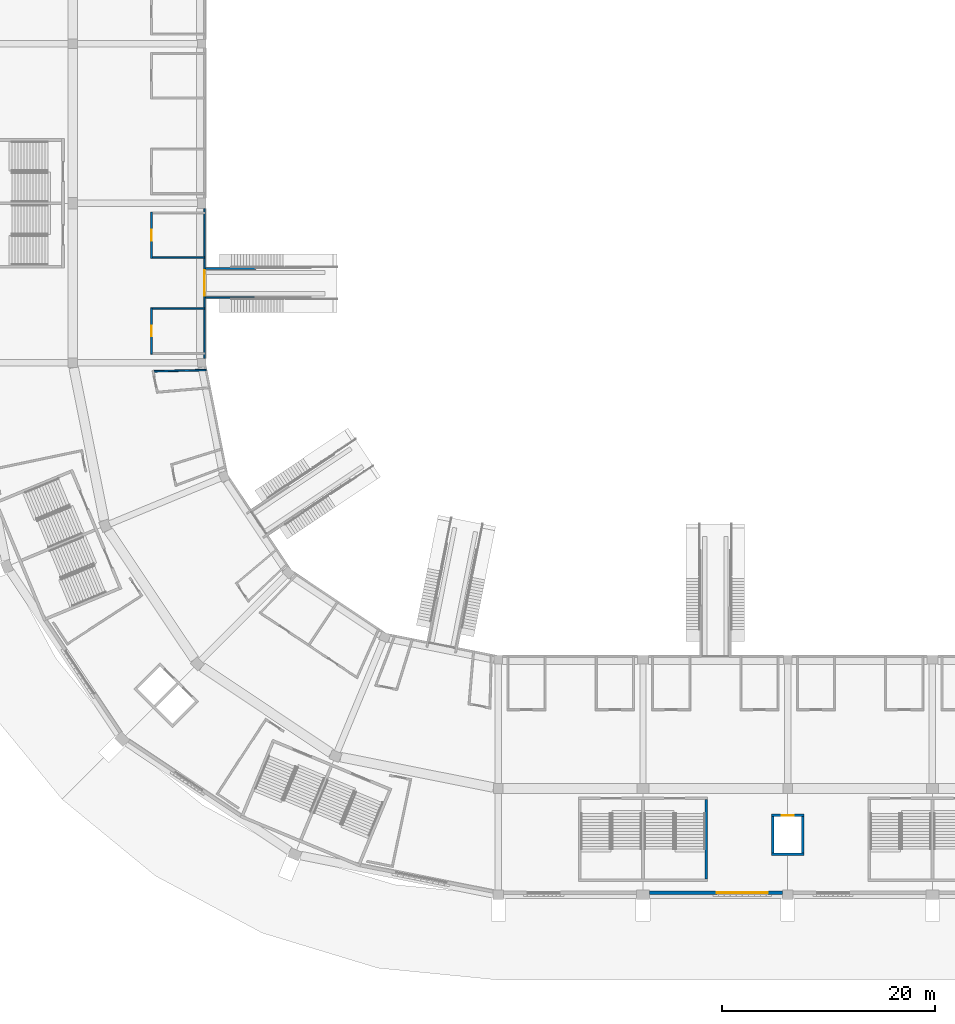
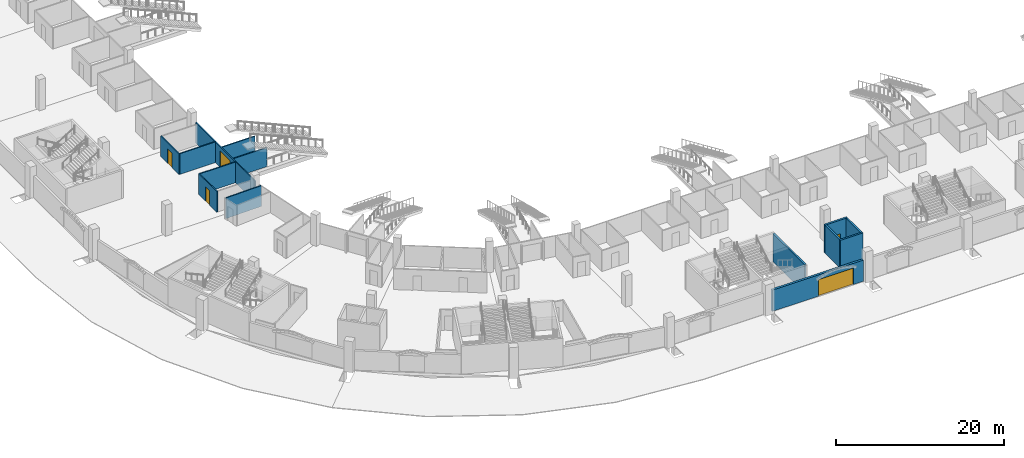
# One storey, part 27 of 175: 14 walls, 5 doors, 5 openings.
"""IFC4 building model written with IfcOpenShell, lengths in metres."""

from ifc_helpers import new_model, si_unit, direction, frame, frame_2d, origin, place, context, subcontext, project, spatial, rectangle, extrude, material, layer, layer_set, type_object, element, fill, save


model = new_model("IFC4")

# Units and contexts
model_context = context("Model", 3, precision=1e-05, world=origin(), true_north=direction((0.0, 1.0)))
body_context = subcontext(model_context, "Body", "Model", "MODEL_VIEW")
ifc_project = project(units=[si_unit("LENGTHUNIT", "METRE"), si_unit("AREAUNIT", "SQUARE_METRE"), si_unit("VOLUMEUNIT", "CUBIC_METRE"), si_unit("PLANEANGLEUNIT", "RADIAN"), si_unit("MASSUNIT", "GRAM", prefix="KILO")], contexts=[model_context])

# Site, building, storey
site_placement = place(None, origin())
site = spatial("IfcSite", under=ifc_project, at=site_placement, CompositionType="ELEMENT")
building_placement = place(site_placement, origin())
building = spatial("IfcBuilding", under=site, at=building_placement, Name="Ogive Plaza Stadium", CompositionType="ELEMENT")
storey_placement = place(building_placement, origin())
storey = spatial("IfcBuildingStorey", under=building, at=storey_placement, Name="L00", CompositionType="ELEMENT", Elevation=0.0)

# Wall
ifc_material_1 = material(Name="Masonry blockwork", Category="masonry")
ifc_layer_1 = layer(ifc_material_1, 0.14990234375)
ifc_layer_set_1 = layer_set([ifc_layer_1], Name="Blockwork wall 150")
wall_type_1 = type_object("IfcWallType", Name="Blockwork wall 150", PredefinedType="SOLIDWALL", material=ifc_layer_set_1)
wall_1_placement = place(storey_placement, frame((-61.467041015625, -53.1689453125, 0.0), z_axis=(0.0, 0.0, 1.0), x_axis=(-0.999703459918, -0.024351431726, 0.0)))
element("IfcWall", 1, at=wall_1_placement, inside=storey, type_object=wall_type_1, Name="Wall L00 B20", PredefinedType="SOLIDWALL", context=body_context, shape_type="SweptSolid", body=[
    extrude(rectangle(XDim=4.902587890625, YDim=0.14990234375, at=frame_2d((2.451171875, 0.0))), origin(), (0.0, 0.0, 1.0), 3.0),
])

# Wall, opening, door
wall_2_placement = place(storey_placement, frame((-66.60009765625, -38.324951171875, 0.0), z_axis=(0.0, 0.0, 1.0), x_axis=(0.0, -1.0, 0.0)))
wall_2 = element("IfcWall", 2, at=wall_2_placement, inside=storey, type_object=wall_type_1, Name="Wall L00 B21", PredefinedType="SOLIDWALL", context=body_context, shape_type="SweptSolid", body=[
    extrude(rectangle(XDim=4.35009765625, YDim=0.14990234375, at=frame_2d((2.175048828125, 0.0))), origin(), (0.0, 0.0, 1.0), 3.0),
])
opening_1_placement = place(wall_2_placement, frame((1.675048828125, 0.0, 0.0)))
opening_1 = element("IfcOpeningElement", 3, at=opening_1_placement, cuts=wall_2, Name="Opening D0422", PredefinedType="OPENING", context=body_context, shape_type="SweptSolid", body=[
    extrude(rectangle(XDim=1.0, YDim=2.10009765625, at=frame_2d((0.5, 1.050048828125))), frame((0.0, 0.074951171875, 0.0), z_axis=(0.0, -1.0, 0.0), x_axis=(1.0, 0.0, 0.0)), (0.0, 0.0, 1.0), 0.14990234375),
])
ifc_material_2 = material(Name="Steel ASTM A572 Grade 50", Category="steel")
door_type_1 = type_object("IfcDoorType", Name="Door 1000 x 2100", OperationType="SINGLE_SWING_LEFT", PredefinedType="DOOR", material=ifc_material_2)
door_1_placement = place(opening_1_placement, origin())
door_1 = element("IfcDoor", 4, at=door_1_placement, inside=storey, type_object=door_type_1, Name="Concession Stand B21 door", OperationType="SINGLE_SWING_RIGHT", OverallHeight=2.10009765625, OverallWidth=1.0, PredefinedType="DOOR", context=body_context, shape_type="SweptSolid", body=[
    extrude(rectangle(XDim=1.0, YDim=2.10009765625, at=frame_2d((0.5, 1.050048828125))), frame((0.0, 0.02490234375, 0.0), z_axis=(0.0, -1.0, 0.0), x_axis=(1.0, 0.0, 0.0)), (0.0, 0.0, 1.0), 0.050048828125),
])
fill(opening_1, door_1)

# Wall
wall_3_placement = place(storey_placement, frame((-61.60009765625, -42.60009765625, 0.0), z_axis=(0.0, 0.0, 1.0), x_axis=(-1.0, 0.0, 0.0)))
element("IfcWall", 5, at=wall_3_placement, inside=storey, type_object=wall_type_1, Name="Wall L00 B21", PredefinedType="SOLIDWALL", context=body_context, shape_type="SweptSolid", body=[
    extrude(rectangle(XDim=4.9248046875, YDim=0.14990234375, at=frame_2d((2.46240234375, 0.0))), origin(), (0.0, 0.0, 1.0), 3.0),
])

# Wall, opening, door
wall_4_placement = place(storey_placement, frame((-66.60009765625, -47.324951171875, 0.0), z_axis=(0.0, 0.0, 1.0), x_axis=(0.0, -1.0, 0.0)))
wall_4 = element("IfcWall", 6, at=wall_4_placement, inside=storey, type_object=wall_type_1, Name="Wall L00 B21", PredefinedType="SOLIDWALL", context=body_context, shape_type="SweptSolid", body=[
    extrude(rectangle(XDim=4.35009765625, YDim=0.14990234375, at=frame_2d((2.175048828125, 0.0))), origin(), (0.0, 0.0, 1.0), 3.0),
])
opening_2_placement = place(wall_4_placement, frame((1.675048828125, 0.0, 0.0)))
opening_2 = element("IfcOpeningElement", 7, at=opening_2_placement, cuts=wall_4, Name="Opening D0423", PredefinedType="OPENING", context=body_context, shape_type="SweptSolid", body=[
    extrude(rectangle(XDim=1.0, YDim=2.10009765625, at=frame_2d((0.5, 1.050048828125))), frame((0.0, 0.074951171875, 0.0), z_axis=(0.0, -1.0, 0.0), x_axis=(1.0, 0.0, 0.0)), (0.0, 0.0, 1.0), 0.14990234375),
])
door_2_placement = place(opening_2_placement, origin())
door_2 = element("IfcDoor", 8, at=door_2_placement, inside=storey, type_object=door_type_1, Name="Concession Stand B21 door", OperationType="SINGLE_SWING_LEFT", OverallHeight=2.10009765625, OverallWidth=1.0, PredefinedType="DOOR", context=body_context, shape_type="SweptSolid", body=[
    extrude(rectangle(XDim=1.0, YDim=2.10009765625, at=frame_2d((0.5, 1.050048828125))), frame((0.0, 0.02490234375, 0.0), z_axis=(0.0, -1.0, 0.0), x_axis=(1.0, 0.0, 0.0)), (0.0, 0.0, 1.0), 0.050048828125),
])
fill(opening_2, door_2)

# Wall
wall_5_placement = place(storey_placement, frame((-61.60009765625, -47.39990234375, 0.0), z_axis=(0.0, 0.0, 1.0), x_axis=(-1.0, 0.0, 0.0)))
element("IfcWall", 9, at=wall_5_placement, inside=storey, type_object=wall_type_1, Name="Wall L00 B21", PredefinedType="SOLIDWALL", context=body_context, shape_type="SweptSolid", body=[
    extrude(rectangle(XDim=4.9248046875, YDim=0.14990234375, at=frame_2d((2.46240234375, 0.0))), origin(), (0.0, 0.0, 1.0), 3.0),
])

# Wall, opening, door
wall_6_placement = place(storey_placement, frame((-61.60009765625, -52.10009765625, 0.0), z_axis=(0.0, 0.0, 1.0), x_axis=(0.0, 1.0, 0.0)))
wall_6 = element("IfcWall", 10, at=wall_6_placement, inside=storey, type_object=wall_type_1, Name="Stand rear wall B21", PredefinedType="SOLIDWALL", context=body_context, shape_type="SweptSolid", body=[
    extrude(rectangle(XDim=14.10009765625, YDim=0.14990234375, at=frame_2d((7.050048828125, 0.0))), origin(), (0.0, 0.0, 1.0), 3.0),
])
opening_3_placement = place(wall_6_placement, frame((5.89990234375, 0.0, 0.0)))
opening_3 = element("IfcOpeningElement", 11, at=opening_3_placement, cuts=wall_6, Name="Opening D1047", PredefinedType="OPENING", context=body_context, shape_type="SweptSolid", body=[
    extrude(rectangle(XDim=2.39990234375, YDim=2.39990234375, at=frame_2d((1.199951171875, 1.199951171875))), frame((0.0, 0.074951171875, 0.0), z_axis=(0.0, -1.0, 0.0), x_axis=(1.0, 0.0, 0.0)), (0.0, 0.0, 1.0), 0.14990234375),
])
ifc_material_3 = material(Name="Steel ASTM A572 Grade 50", Category="steel")
door_type_2 = type_object("IfcDoorType", Name="Service door pair 2400 x 2400", OperationType="DOUBLE_DOOR_SINGLE_SWING", PredefinedType="DOOR", material=ifc_material_3)
door_3_placement = place(opening_3_placement, origin())
door_3 = element("IfcDoor", 12, at=door_3_placement, inside=storey, type_object=door_type_2, Name="Vomitory portal door B21", OperationType="DOUBLE_DOOR_SINGLE_SWING", OverallHeight=2.39990234375, OverallWidth=2.39990234375, PredefinedType="DOOR", context=body_context, shape_type="SweptSolid", body=[
    extrude(rectangle(XDim=2.39990234375, YDim=2.39990234375, at=frame_2d((1.199951171875, 1.199951171875))), frame((0.0, 0.02490234375, 0.0), z_axis=(0.0, -1.0, 0.0), x_axis=(1.0, 0.0, 0.0)), (0.0, 0.0, 1.0), 0.050048828125),
])
fill(opening_3, door_3)

# Wall
ifc_material_4 = material(Name="Concrete C40/50", Category="concrete")
ifc_layer_2 = layer(ifc_material_4, 0.25)
ifc_layer_set_2 = layer_set([ifc_layer_2], Name="Concrete C40/50")
wall_type_2 = type_object("IfcWallType", Name="Core wall 250", PredefinedType="SHEAR", material=ifc_layer_set_2)
wall_7_placement = place(storey_placement, frame((-14.449951171875, -93.550048828125, 0.0), z_axis=(0.0, 0.0, 1.0), x_axis=(0.0, -1.0, 0.0)))
element("IfcWall", 13, at=wall_7_placement, inside=storey, type_object=wall_type_2, Name="Stair core R16 side wall", PredefinedType="SHEAR", context=body_context, shape_type="SweptSolid", body=[
    extrude(rectangle(XDim=7.4599609375, YDim=0.25, at=frame_2d((3.72998046875, 0.0))), origin(), (0.0, 0.0, 1.0), 4.090087890625),
])

# Wall, opening, door
wall_8_placement = place(storey_placement, frame((-8.35009765625, -95.02490234375, 0.0), z_axis=(0.0, 0.0, 1.0), x_axis=(1.0, 0.0, 0.0)))
wall_8 = element("IfcWall", 14, at=wall_8_placement, inside=storey, type_object=wall_type_2, Name="Lift core LS15 landing wall", PredefinedType="SHEAR", context=body_context, shape_type="SweptSolid", body=[
    extrude(rectangle(XDim=3.10009765625, YDim=0.25, at=frame_2d((1.550048828125, 0.0))), origin(), (0.0, 0.0, 1.0), 4.090087890625),
])
opening_4_placement = place(wall_8_placement, frame((1.0, 0.0, 0.0)))
opening_4 = element("IfcOpeningElement", 15, at=opening_4_placement, cuts=wall_8, Name="Opening LD036", PredefinedType="OPENING", context=body_context, shape_type="SweptSolid", body=[
    extrude(rectangle(XDim=1.10009765625, YDim=2.10009765625, at=frame_2d((0.550048828125, 1.050048828125))), frame((0.0, 0.125, 0.0), z_axis=(0.0, -1.0, 0.0), x_axis=(1.0, 0.0, 0.0)), (0.0, 0.0, 1.0), 0.25),
])
ifc_material_5 = material(Name="Steel ASTM A572 Grade 50", Category="steel")
door_type_3 = type_object("IfcDoorType", Name="Landing door 1100 x 2100", OperationType="SLIDING_TO_LEFT", PredefinedType="DOOR", material=ifc_material_5)
door_4_placement = place(opening_4_placement, origin())
door_4 = element("IfcDoor", 16, at=door_4_placement, inside=storey, type_object=door_type_3, Name="Lift landing door LS15 L00", OperationType="SLIDING_TO_LEFT", OverallHeight=2.10009765625, OverallWidth=1.10009765625, PredefinedType="DOOR", context=body_context, shape_type="SweptSolid", body=[
    extrude(rectangle(XDim=1.10009765625, YDim=2.10009765625, at=frame_2d((0.550048828125, 1.050048828125))), frame((0.0, 0.02490234375, 0.0), z_axis=(0.0, -1.0, 0.0), x_axis=(1.0, 0.0, 0.0)), (0.0, 0.0, 1.0), 0.050048828125),
])
fill(opening_4, door_4)

# Walls
wall_9_placement = place(storey_placement, frame((-8.35009765625, -98.675048828125, 0.0), z_axis=(0.0, 0.0, 1.0), x_axis=(1.0, 0.0, 0.0)))
element("IfcWall", 17, at=wall_9_placement, inside=storey, type_object=wall_type_2, Name="Lift core LS15 rear wall", PredefinedType="SHEAR", context=body_context, shape_type="SweptSolid", body=[
    extrude(rectangle(XDim=3.10009765625, YDim=0.25, at=frame_2d((1.550048828125, 0.0))), origin(), (0.0, 0.0, 1.0), 4.090087890625),
])
for number, where, z_axis, x_axis, name in (
    (18, (-8.22509765625, -95.14990234375, 0.0), (0.0, 0.0, 1.0), (0.0, -1.0, 0.0), "Lift core LS15 side wall"),
    (19, (-5.375, -95.14990234375, 0.0), (0.0, 0.0, 1.0), (0.0, -1.0, 0.0), "Lift core LS15 side wall"),
):
    element("IfcWall", number, at=place(storey_placement, frame(where, z_axis=z_axis, x_axis=x_axis)), inside=storey, type_object=wall_type_2, Name=name, PredefinedType="SHEAR", context=body_context, shape_type="SweptSolid", body=[
        extrude(rectangle(XDim=3.400146484375, YDim=0.25, at=frame_2d((1.7001953125, 0.0))), origin(), (0.0, 0.0, 1.0), 4.090087890625),
    ])

# Wall, opening, door
ifc_material_6 = material(Name="Concrete C45/55 precast", Category="concrete")
ifc_layer_3 = layer(ifc_material_6, 0.25)
ifc_material_7 = material(Name="Cast stone (reconstituted limestone)", Category="masonry")
ifc_layer_4 = layer(ifc_material_7, 0.050048828125)
ifc_layer_set_3 = layer_set([ifc_layer_3, ifc_layer_4], Name="Concrete C45/55 precast, cast stone facing")
wall_type_3 = type_object("IfcWallType", Name="Portal infill wall 300", PredefinedType="SOLIDWALL", material=ifc_layer_set_3)
wall_10_placement = place(storey_placement, frame((-7.300048828125, -102.300048828125, 0.0), z_axis=(0.0, 0.0, 1.0), x_axis=(-1.0, 0.0, 0.0)))
wall_10 = element("IfcWall", 20, at=wall_10_placement, inside=storey, type_object=wall_type_3, Name="PORTAL WALL B15", PredefinedType="SOLIDWALL", context=body_context, shape_type="SweptSolid", body=[
    extrude(rectangle(XDim=12.5, YDim=0.300048828125, at=frame_2d((6.25, 0.0))), origin(), (0.0, 0.0, 1.0), 3.090087890625),
])
opening_5_placement = place(wall_10_placement, frame((1.362548828125, 0.0, 0.0)))
opening_5 = element("IfcOpeningElement", 21, at=opening_5_placement, cuts=wall_10, Name="Opening D0015", PredefinedType="OPENING", context=body_context, shape_type="SweptSolid", body=[
    extrude(rectangle(XDim=4.800048828125, YDim=2.39990234375, at=frame_2d((2.39990234375, 1.199951171875))), frame((0.0, 0.16015625, 0.0), z_axis=(0.0, -1.0, 0.0), x_axis=(1.0, 0.0, 0.0)), (0.0, 0.0, 1.0), 0.320068359375),
])
ifc_material_8 = material(Name="Bronze-anodised aluminium and laminated glass", Category="aluminium")
door_type_4 = type_object("IfcDoorType", Name="Entrance door pair 4800 x 2400", OperationType="DOUBLE_DOOR_SINGLE_SWING", PredefinedType="DOOR", material=ifc_material_8)
door_5_placement = place(opening_5_placement, origin())
door_5 = element("IfcDoor", 22, at=door_5_placement, inside=storey, type_object=door_type_4, Name="Main entrance E8", OperationType="DOUBLE_DOOR_SINGLE_SWING", OverallHeight=2.39990234375, OverallWidth=4.800048828125, PredefinedType="DOOR", context=body_context, shape_type="SweptSolid", body=[
    extrude(rectangle(XDim=4.800048828125, YDim=2.39990234375, at=frame_2d((2.39990234375, 1.199951171875))), frame((0.0, 0.02490234375, 0.0), z_axis=(0.0, -1.0, 0.0), x_axis=(1.0, 0.0, 0.0)), (0.0, 0.0, 1.0), 0.050048828125),
])
fill(opening_5, door_5)

# Walls
ifc_material_9 = material(Name="Concrete C40/50", Category="concrete")
ifc_layer_5 = layer(ifc_material_9, 0.14990234375)
ifc_layer_set_4 = layer_set([ifc_layer_5], Name="Concrete C40/50")
wall_type_4 = type_object("IfcWallType", Name="Vomitory wall 150", PredefinedType="SOLIDWALL", material=ifc_layer_set_4)
for number, where, z_axis, x_axis, name in (
    (23, (-56.800048828125, -43.6298828125, 0.0), (0.0, 0.0, 1.0), (-1.0, 0.0, 0.0), "Vomitory tunnel wall B21"),
    (24, (-56.800048828125, -46.3701171875, 0.0), (0.0, 0.0, 1.0), (-1.0, 0.0, 0.0), "Vomitory tunnel wall B21"),
):
    element("IfcWall", number, at=place(storey_placement, frame(where, z_axis=z_axis, x_axis=x_axis)), inside=storey, type_object=wall_type_4, Name=name, PredefinedType="SOLIDWALL", context=body_context, shape_type="SweptSolid", body=[
        extrude(rectangle(XDim=4.724853515625, YDim=0.14990234375, at=frame_2d((2.3623046875, 0.0))), origin(), (0.0, 0.0, 1.0), 2.75),
    ])

save(model, "model.ifc")
